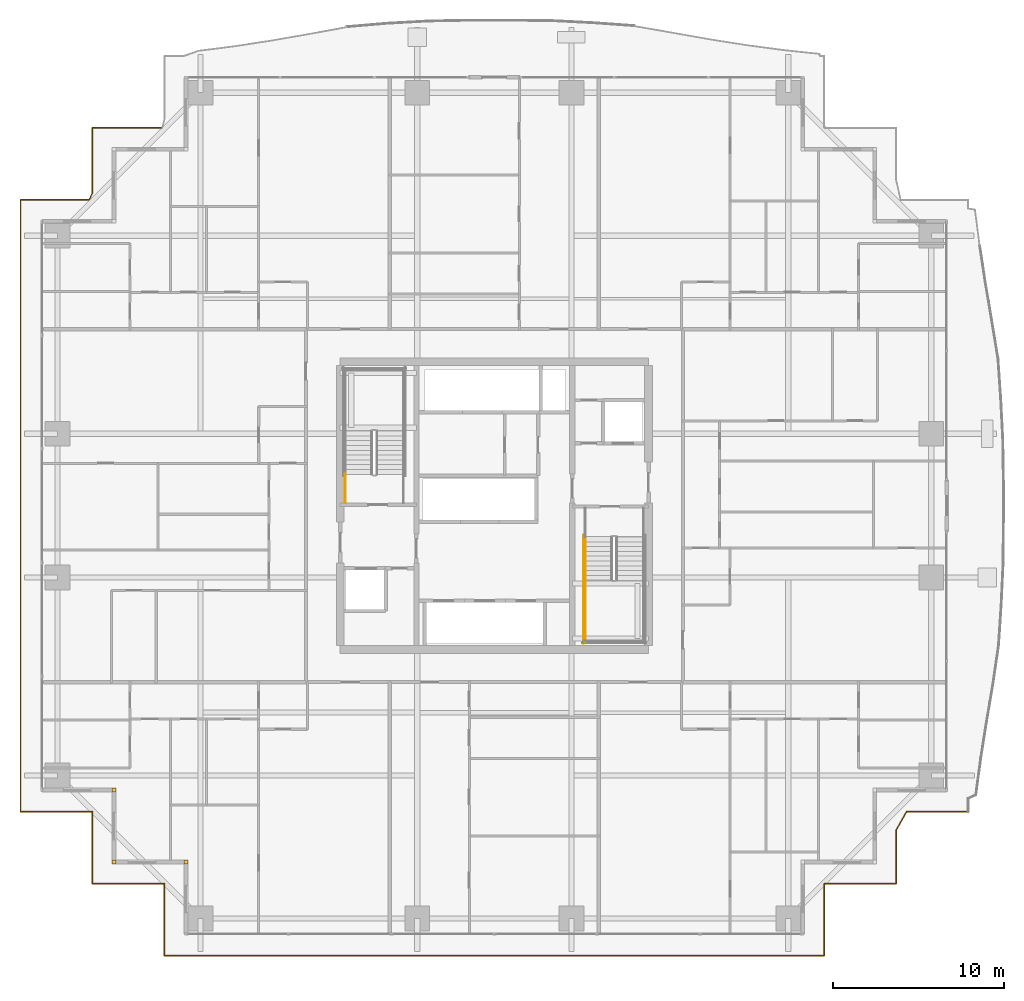
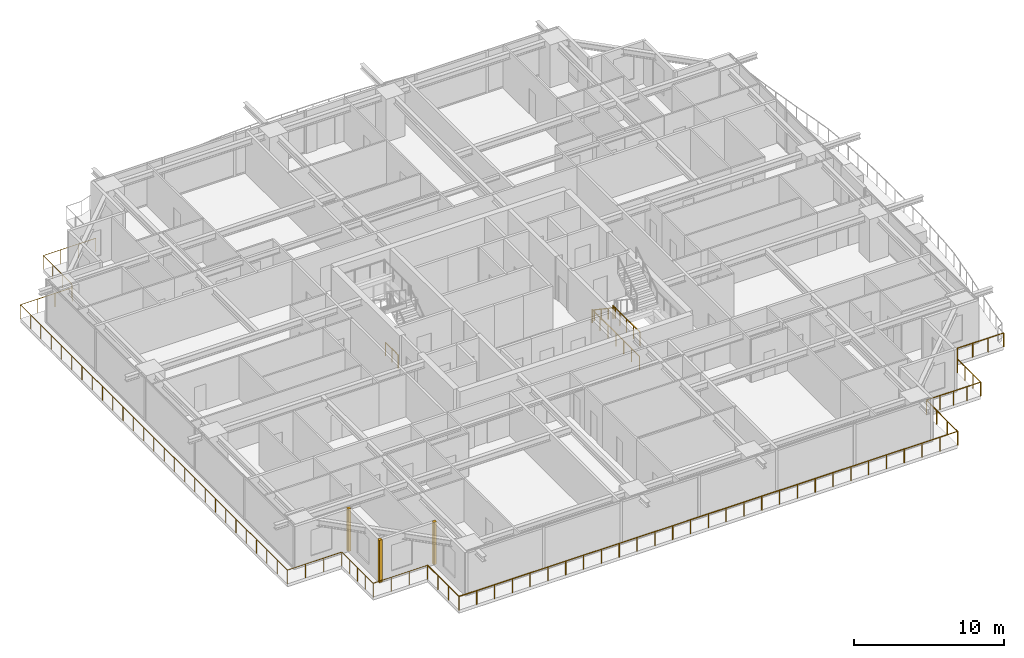
# One storey, part 33 of 37: 6 railings, 3 coverings.
"""IFC4 building model written with IfcOpenShell, lengths in metres."""

import ifcopenshell
import ifcopenshell.guid

model = None  # the IFC model being written
_history = None  # IfcOwnerHistory: only IFC2X3 demands one
_inside = {}  # id of a spatial element -> (the spatial element, [elements in it])
_under = {}  # id of a project, library or spatial element -> (it, [spatial elements below it])
_declared = {}  # id of a project -> (the project, [libraries it declares])
_typed = {}  # id of a type object -> (the type object, [elements of that type])
_made_of = {}  # id of a material, layer set ... -> (it, [elements and type objects made of it])


def new_model(schema):
    """Start an empty IFC model of exactly this schema.

    Asked for "IFC4X3", IfcOpenShell would pick the latest addendum, in which some entities
    have other attributes; the version numbers below select the first issue.
    IFC2X3 requires an IfcOwnerHistory on every rooted entity: one is made here for all.
    """
    global model, _history
    if schema == "IFC4X3":
        model = ifcopenshell.file(schema_version=(4, 3, 0, 0))
    else:
        model = ifcopenshell.file(schema=schema)
    _inside.clear()
    _under.clear()
    _declared.clear()
    _typed.clear()
    _made_of.clear()
    _history = None
    if model.schema == "IFC2X3":
        org = make("IfcOrganization", Name="unknown")
        user = make(
            "IfcPersonAndOrganization",
            ThePerson=make("IfcPerson", FamilyName="unknown"),
            TheOrganization=org,
        )
        app = make(
            "IfcApplication",
            ApplicationDeveloper=org,
            Version="unknown",
            ApplicationFullName="unknown",
            ApplicationIdentifier="unknown",
        )
        _history = make(
            "IfcOwnerHistory",
            OwningUser=user,
            OwningApplication=app,
            ChangeAction="ADDED",
            CreationDate=0,
        )
    return model


def make(cls, **values):
    """One entity of the class cls with the attributes given. An attribute that is None is left unset."""
    return model.create_entity(
        cls, **{name: value for name, value in values.items() if value is not None}
    )


def rooted(cls, **values):
    """An entity with a GlobalId (a new one), such as an element, a storey or a relation."""
    return make(cls, GlobalId=ifcopenshell.guid.new(), OwnerHistory=_history, **values)


def si_unit(unit_type, name, prefix=None):
    """IfcSIUnit, for example si_unit("LENGTHUNIT", "METRE", prefix="MILLI")."""
    return make("IfcSIUnit", UnitType=unit_type, Prefix=prefix, Name=name)


def assignment(units):
    """IfcUnitAssignment: the units of a project."""
    return None if units is None else make("IfcUnitAssignment", Units=units)


def point(xyz):
    """IfcCartesianPoint."""
    return None if xyz is None else make("IfcCartesianPoint", Coordinates=xyz)


def direction(xyz):
    """IfcDirection."""
    return None if xyz is None else make("IfcDirection", DirectionRatios=xyz)


def frame(location, z_axis=None, x_axis=None):
    """IfcAxis2Placement3D, a coordinate frame: its origin and axes. An axis left out is left unset."""
    return make(
        "IfcAxis2Placement3D",
        Location=point(location),
        Axis=direction(z_axis),
        RefDirection=direction(x_axis),
    )


def frame_2d(location, x_axis=None):
    """IfcAxis2Placement2D, a coordinate frame in the plane: its origin and x axis."""
    return make(
        "IfcAxis2Placement2D", Location=point(location), RefDirection=direction(x_axis)
    )


def origin():
    """The frame at (0, 0, 0) with its axes left unset."""
    return frame((0.0, 0.0, 0.0))


def origin_2d():
    """The frame at (0, 0) in the plane with its x axis left unset."""
    return frame_2d((0.0, 0.0))


def place(relative_to, where):
    """IfcLocalPlacement: puts the frame where relative to a parent placement (None: the world)."""
    return make(
        "IfcLocalPlacement", PlacementRelTo=relative_to, RelativePlacement=where
    )


def context(
    kind, dimensions, precision=None, world=None, true_north=None, identifier=None
):
    """IfcGeometricRepresentationContext, for example the 3D "Model" context."""
    return make(
        "IfcGeometricRepresentationContext",
        ContextIdentifier=identifier,
        ContextType=kind,
        CoordinateSpaceDimension=dimensions,
        Precision=precision,
        WorldCoordinateSystem=world,
        TrueNorth=true_north,
    )


def subcontext(parent, identifier, kind, view, scale=None):
    """IfcGeometricRepresentationSubContext, for example "Body" below "Model"."""
    return make(
        "IfcGeometricRepresentationSubContext",
        ContextIdentifier=identifier,
        ContextType=kind,
        ParentContext=parent,
        TargetScale=scale,
        TargetView=view,
    )


def project(units=None, contexts=None):
    """IfcProject with its units and contexts."""
    return rooted(
        "IfcProject",
        Name="project",
        RepresentationContexts=contexts,
        UnitsInContext=assignment(units),
    )


def spatial(cls, under=None, at=None, **own):
    """A site, building, storey or space (cls), placed at a placement, below another one or the project."""
    s = rooted(cls, ObjectPlacement=at, **own)
    if under is not None:
        _under.setdefault(under.id(), (under, []))[1].append(s)
    return s


def profile(cls, at=None, kind="AREA", **sizes):
    """A parametric profile (cls). Its sizes go by their IFC names, for example OverallWidth=200.0."""
    return make(cls, ProfileType=kind, Position=at, **sizes)


def rectangle(**sizes):
    """IfcRectangleProfileDef."""
    return profile("IfcRectangleProfileDef", **sizes)


def circle(**sizes):
    """IfcCircleProfileDef."""
    return profile("IfcCircleProfileDef", **sizes)


def extrude(swept, where, along, depth):
    """IfcExtrudedAreaSolid: the profile swept, set in the frame where, extruded along a direction by depth."""
    return make(
        "IfcExtrudedAreaSolid",
        SweptArea=swept,
        Position=where,
        ExtrudedDirection=direction(along),
        Depth=depth,
    )


def shape(context_of_items, identifier, shape_type, items):
    """IfcShapeRepresentation: the items that make up one representation, for example the "Body"."""
    return make(
        "IfcShapeRepresentation",
        ContextOfItems=context_of_items,
        RepresentationIdentifier=identifier,
        RepresentationType=shape_type,
        Items=items,
    )


def source(mapping_origin, context_of_items, identifier, shape_type, items):
    """IfcRepresentationMap: a shape defined once, which mapped items show again and again."""
    return make(
        "IfcRepresentationMap",
        MappingOrigin=mapping_origin,
        MappedRepresentation=shape(context_of_items, identifier, shape_type, items),
    )


def transform(
    local_origin,
    x_axis=None,
    y_axis=None,
    z_axis=None,
    scale=None,
    scale2=None,
    scale3=None,
    uniform=True,
):
    """IfcCartesianTransformationOperator3D, or its non-uniform kind. x_axis, y_axis, z_axis: its Axis1, 2, 3."""
    if uniform:
        return make(
            "IfcCartesianTransformationOperator3D",
            Axis1=direction(x_axis),
            Axis2=direction(y_axis),
            LocalOrigin=point(local_origin),
            Scale=scale,
            Axis3=direction(z_axis),
        )
    return make(
        "IfcCartesianTransformationOperator3DnonUniform",
        Axis1=direction(x_axis),
        Axis2=direction(y_axis),
        LocalOrigin=point(local_origin),
        Scale=scale,
        Axis3=direction(z_axis),
        Scale2=scale2,
        Scale3=scale3,
    )


def mapped(mapping_source, mapping_target):
    """IfcMappedItem: shows the shape of a source again, moved by a transform."""
    return make(
        "IfcMappedItem", MappingSource=mapping_source, MappingTarget=mapping_target
    )


def material(Name=None, Category=None):
    """IfcMaterial."""
    return make("IfcMaterial", Name=Name, Category=Category)


def layer(
    of_material, thickness, ventilated=None, Name=None, Category=None, Priority=None
):
    """IfcMaterialLayer: one layer of a wall or slab, of a material (None: an air gap)."""
    return make(
        "IfcMaterialLayer",
        Material=of_material,
        LayerThickness=thickness,
        IsVentilated=ventilated,
        Name=Name,
        Category=Category,
        Priority=Priority,
    )


def layer_set(layers, Name=None):
    """IfcMaterialLayerSet."""
    return make("IfcMaterialLayerSet", MaterialLayers=layers, LayerSetName=Name)


def made_of(thing, what):
    """Note that an element or type object is made of a material, layer set ...; save() writes the relation."""
    if what is not None:
        _made_of.setdefault(what.id(), (what, []))[1].append(thing)
    return thing


def type_object(cls, material=None, **own):
    """A type object (cls), such as IfcWallType, which elements share."""
    return made_of(rooted(cls, **own), material)


def element(
    cls,
    number,
    at=None,
    inside=None,
    cuts=None,
    type_object=None,
    material=None,
    context=None,
    identifier="Body",
    shape_type=None,
    held_by="IfcProductDefinitionShape",
    body=None,
    shapes=None,
    **own,
):
    """One element of the class cls, such as IfcWall. Its Tag is "e" and its number.

    at: its placement. inside: the storey or other place that contains it. cuts: it is an
    opening in that element (IfcRelVoidsElement). A single representation is given by context,
    identifier, shape_type and body (its items); several are given by shapes. held_by: the class
    of the entity that holds the representations. save() writes the other relations.
    """
    e = rooted(cls, Tag="e%d" % number, ObjectPlacement=at, **own)
    if body is not None:
        shapes = [shape(context, identifier, shape_type, body)]
    if shapes is not None:
        e.Representation = make(held_by, Representations=shapes)
    if inside is not None:
        _inside.setdefault(inside.id(), (inside, []))[1].append(e)
    if cuts is not None:
        rooted(
            "IfcRelVoidsElement", RelatingBuildingElement=cuts, RelatedOpeningElement=e
        )
    if type_object is not None:
        _typed.setdefault(type_object.id(), (type_object, []))[1].append(e)
    return made_of(e, material)


def aggregate(whole, parts):
    """IfcRelAggregates: a whole, such as a stair, and the parts it consists of."""
    return rooted("IfcRelAggregates", RelatingObject=whole, RelatedObjects=parts)


def save(model, path):
    """Write the relations noted so far, then the file.

    IfcRelAggregates (storeys below a building ...), IfcRelContainedInSpatialStructure (elements
    in a storey), IfcRelDefinesByType, IfcRelAssociatesMaterial and IfcRelDeclares: one each for
    every whole, place, type object, material and project.
    """
    for whole, parts in _under.values():
        aggregate(whole, parts)
    for where, things in _inside.values():
        rooted(
            "IfcRelContainedInSpatialStructure",
            RelatedElements=things,
            RelatingStructure=where,
        )
    for kind, things in _typed.values():
        rooted("IfcRelDefinesByType", RelatedObjects=things, RelatingType=kind)
    for what, things in _made_of.values():
        rooted("IfcRelAssociatesMaterial", RelatedObjects=things, RelatingMaterial=what)
    for by, libraries in _declared.values():
        rooted("IfcRelDeclares", RelatingContext=by, RelatedDefinitions=libraries)
    model.write(path)


model = new_model("IFC4")

# Units and contexts
model_context = context("Model", 3, precision=1e-05, world=origin(), true_north=direction((0.0, 1.0)))
body_context = subcontext(model_context, "Body", "Model", "MODEL_VIEW")
ifc_project = project(units=[si_unit("LENGTHUNIT", "METRE"), si_unit("AREAUNIT", "SQUARE_METRE"), si_unit("VOLUMEUNIT", "CUBIC_METRE"), si_unit("PLANEANGLEUNIT", "RADIAN"), si_unit("MASSUNIT", "GRAM", prefix="KILO")], contexts=[model_context])

# Site, building, storey
site_placement = place(None, origin())
site = spatial("IfcSite", under=ifc_project, at=site_placement, CompositionType="ELEMENT")
building_placement = place(site_placement, origin())
building = spatial("IfcBuilding", under=site, at=building_placement, Name="Serunith Strait Residences", CompositionType="ELEMENT")
storey_placement = place(building_placement, frame((0.0, 0.0, 26.699951171875)))
storey = spatial("IfcBuildingStorey", under=building, at=storey_placement, Name="L05", CompositionType="ELEMENT", Elevation=26.699951171875)

# Railings
ifc_material_1 = material(Name="Stainless Steel & Laminated Glass Balustrade", Category="steel")
railing_type_1 = type_object("IfcRailingType", Name="RLG-BALC-1150", PredefinedType="BALUSTRADE", material=ifc_material_1)
railing_1_placement = place(storey_placement, frame((60.06005859375, 7.340087890625, -0.050048828125)))
element("IfcRailing", 1, at=railing_1_placement, inside=storey, type_object=railing_type_1, Name="L05 Swirling Balcony Perimeter Balustrade 7", PredefinedType="BALUSTRADE", context=body_context, shape_type="SweptSolid", body=[
    extrude(circle(Radius=0.02392578125, at=origin_2d()), frame((-0.001953125, 0.0, 1.1259765625), z_axis=(-1.0, 0.0, 0.0), x_axis=(0.0, -1.0, 0.0)), (0.0, 0.0, 1.0), 3.5869140625),
    extrude(circle(Radius=0.02392578125, at=origin_2d()), frame((-3.591796875, -0.001708984375, 1.1259765625), z_axis=(-0.495646802969, -0.868524177387, 0.0), x_axis=(0.868524177387, -0.495646802969, 0.0)), (0.0, 0.0, 1.0), 1.224853515625),
    extrude(circle(Radius=0.02392578125, at=origin_2d()), frame((-4.199951171875, -1.0693359375, 1.1259765625), z_axis=(0.0, -1.0, 0.0), x_axis=(1.0, 0.0, 0.0)), (0.0, 0.0, 1.0), 3.12890625),
    extrude(circle(Radius=0.02392578125, at=origin_2d()), frame((-4.201904296875, -4.2001953125, 1.1259765625), z_axis=(-1.0, 0.0, 0.0), x_axis=(0.0, -1.0, 0.0)), (0.0, 0.0, 1.0), 4.1962890625),
    extrude(circle(Radius=0.02392578125, at=origin_2d()), frame((-8.400146484375, -4.2021484375, 1.1259765625), z_axis=(0.0, -1.0, 0.0), x_axis=(1.0, 0.0, 0.0)), (0.0, 0.0, 1.0), 4.196044921875),
    extrude(circle(Radius=0.02392578125, at=origin_2d()), frame((-8.402099609375, -8.400146484375, 1.1259765625), z_axis=(-1.0, 0.0, 0.0), x_axis=(0.0, -1.0, 0.0)), (0.0, 0.0, 1.0), 38.51611328125),
    extrude(circle(Radius=0.02392578125, at=origin_2d()), frame((-46.920166015625, -8.398193359375, 1.1259765625), z_axis=(0.0, 1.0, 0.0), x_axis=(-1.0, 0.0, 0.0)), (0.0, 0.0, 1.0), 4.196044921875),
    extrude(circle(Radius=0.02099609375, at=origin_2d()), origin(), (0.0, 0.0, 1.0), 1.099853515625),
    extrude(circle(Radius=0.02099609375, at=origin_2d()), frame((-1.197021484375, 0.0, 0.0)), (0.0, 0.0, 1.0), 1.099853515625),
    extrude(circle(Radius=0.02099609375, at=origin_2d()), frame((-2.393798828125, 0.0, 0.0)), (0.0, 0.0, 1.0), 1.099853515625),
    extrude(circle(Radius=0.02099609375, at=origin_2d()), frame((-3.5908203125, 0.0, 0.0)), (0.0, 0.0, 1.0), 1.099853515625),
    extrude(circle(Radius=0.02099609375, at=origin_2d()), frame((-4.199951171875, -1.0673828125, 0.0)), (0.0, 0.0, 1.0), 1.099853515625),
    extrude(circle(Radius=0.02099609375, at=origin_2d()), frame((-4.199951171875, -2.111572265625, 0.0)), (0.0, 0.0, 1.0), 1.099853515625),
    extrude(circle(Radius=0.02099609375, at=origin_2d()), frame((-4.199951171875, -3.156005859375, 0.0)), (0.0, 0.0, 1.0), 1.099853515625),
    extrude(circle(Radius=0.02099609375, at=origin_2d()), frame((-4.199951171875, -4.2001953125, 0.0)), (0.0, 0.0, 1.0), 1.099853515625),
    extrude(circle(Radius=0.02099609375, at=origin_2d()), frame((-5.25, -4.2001953125, 0.0)), (0.0, 0.0, 1.0), 1.099853515625),
    extrude(circle(Radius=0.02099609375, at=origin_2d()), frame((-6.300048828125, -4.2001953125, 0.0)), (0.0, 0.0, 1.0), 1.099853515625),
    extrude(circle(Radius=0.02099609375, at=origin_2d()), frame((-7.35009765625, -4.2001953125, 0.0)), (0.0, 0.0, 1.0), 1.099853515625),
    extrude(circle(Radius=0.02099609375, at=origin_2d()), frame((-8.400146484375, -4.2001953125, 0.0)), (0.0, 0.0, 1.0), 1.099853515625),
    extrude(circle(Radius=0.02099609375, at=origin_2d()), frame((-8.400146484375, -5.60009765625, 0.0)), (0.0, 0.0, 1.0), 1.099853515625),
    extrude(circle(Radius=0.02099609375, at=origin_2d()), frame((-8.400146484375, -7.000244140625, 0.0)), (0.0, 0.0, 1.0), 1.099853515625),
    extrude(circle(Radius=0.02099609375, at=origin_2d()), frame((-8.400146484375, -8.400146484375, 0.0)), (0.0, 0.0, 1.0), 1.099853515625),
    extrude(circle(Radius=0.02099609375, at=origin_2d()), frame((-9.77587890625, -8.400146484375, 0.0)), (0.0, 0.0, 1.0), 1.099853515625),
    extrude(circle(Radius=0.02099609375, at=origin_2d()), frame((-11.151611328125, -8.400146484375, 0.0)), (0.0, 0.0, 1.0), 1.099853515625),
    extrude(circle(Radius=0.02099609375, at=origin_2d()), frame((-12.52734375, -8.400146484375, 0.0)), (0.0, 0.0, 1.0), 1.099853515625),
    extrude(circle(Radius=0.02099609375, at=origin_2d()), frame((-13.903076171875, -8.400146484375, 0.0)), (0.0, 0.0, 1.0), 1.099853515625),
    extrude(circle(Radius=0.02099609375, at=origin_2d()), frame((-15.27880859375, -8.400146484375, 0.0)), (0.0, 0.0, 1.0), 1.099853515625),
    extrude(circle(Radius=0.02099609375, at=origin_2d()), frame((-16.654541015625, -8.400146484375, 0.0)), (0.0, 0.0, 1.0), 1.099853515625),
    extrude(circle(Radius=0.02099609375, at=origin_2d()), frame((-18.0302734375, -8.400146484375, 0.0)), (0.0, 0.0, 1.0), 1.099853515625),
    extrude(circle(Radius=0.02099609375, at=origin_2d()), frame((-19.40576171875, -8.400146484375, 0.0)), (0.0, 0.0, 1.0), 1.099853515625),
    extrude(circle(Radius=0.02099609375, at=origin_2d()), frame((-20.781494140625, -8.400146484375, 0.0)), (0.0, 0.0, 1.0), 1.099853515625),
    extrude(circle(Radius=0.02099609375, at=origin_2d()), frame((-22.1572265625, -8.400146484375, 0.0)), (0.0, 0.0, 1.0), 1.099853515625),
    extrude(circle(Radius=0.02099609375, at=origin_2d()), frame((-23.532958984375, -8.400146484375, 0.0)), (0.0, 0.0, 1.0), 1.099853515625),
    extrude(circle(Radius=0.02099609375, at=origin_2d()), frame((-24.90869140625, -8.400146484375, 0.0)), (0.0, 0.0, 1.0), 1.099853515625),
    extrude(circle(Radius=0.02099609375, at=origin_2d()), frame((-26.284423828125, -8.400146484375, 0.0)), (0.0, 0.0, 1.0), 1.099853515625),
    extrude(circle(Radius=0.02099609375, at=origin_2d()), frame((-27.66015625, -8.400146484375, 0.0)), (0.0, 0.0, 1.0), 1.099853515625),
    extrude(circle(Radius=0.02099609375, at=origin_2d()), frame((-29.035888671875, -8.400146484375, 0.0)), (0.0, 0.0, 1.0), 1.099853515625),
    extrude(circle(Radius=0.02099609375, at=origin_2d()), frame((-30.41162109375, -8.400146484375, 0.0)), (0.0, 0.0, 1.0), 1.099853515625),
    extrude(circle(Radius=0.02099609375, at=origin_2d()), frame((-31.787353515625, -8.400146484375, 0.0)), (0.0, 0.0, 1.0), 1.099853515625),
    extrude(circle(Radius=0.02099609375, at=origin_2d()), frame((-33.1630859375, -8.400146484375, 0.0)), (0.0, 0.0, 1.0), 1.099853515625),
    extrude(circle(Radius=0.02099609375, at=origin_2d()), frame((-34.538818359375, -8.400146484375, 0.0)), (0.0, 0.0, 1.0), 1.099853515625),
    extrude(circle(Radius=0.02099609375, at=origin_2d()), frame((-35.91455078125, -8.400146484375, 0.0)), (0.0, 0.0, 1.0), 1.099853515625),
    extrude(circle(Radius=0.02099609375, at=origin_2d()), frame((-37.2900390625, -8.400146484375, 0.0)), (0.0, 0.0, 1.0), 1.099853515625),
    extrude(circle(Radius=0.02099609375, at=origin_2d()), frame((-38.665771484375, -8.400146484375, 0.0)), (0.0, 0.0, 1.0), 1.099853515625),
    extrude(circle(Radius=0.02099609375, at=origin_2d()), frame((-40.04150390625, -8.400146484375, 0.0)), (0.0, 0.0, 1.0), 1.099853515625),
    extrude(circle(Radius=0.02099609375, at=origin_2d()), frame((-41.417236328125, -8.400146484375, 0.0)), (0.0, 0.0, 1.0), 1.099853515625),
    extrude(circle(Radius=0.02099609375, at=origin_2d()), frame((-42.79296875, -8.400146484375, 0.0)), (0.0, 0.0, 1.0), 1.099853515625),
    extrude(circle(Radius=0.02099609375, at=origin_2d()), frame((-44.168701171875, -8.400146484375, 0.0)), (0.0, 0.0, 1.0), 1.099853515625),
    extrude(circle(Radius=0.02099609375, at=origin_2d()), frame((-45.54443359375, -8.400146484375, 0.0)), (0.0, 0.0, 1.0), 1.099853515625),
    extrude(circle(Radius=0.02099609375, at=origin_2d()), frame((-46.920166015625, -8.400146484375, 0.0)), (0.0, 0.0, 1.0), 1.099853515625),
    extrude(circle(Radius=0.02099609375, at=origin_2d()), frame((-46.920166015625, -7.000244140625, 0.0)), (0.0, 0.0, 1.0), 1.099853515625),
    extrude(circle(Radius=0.02099609375, at=origin_2d()), frame((-46.920166015625, -5.60009765625, 0.0)), (0.0, 0.0, 1.0), 1.099853515625),
    extrude(circle(Radius=0.02099609375, at=origin_2d()), frame((-46.920166015625, -4.2001953125, 0.0)), (0.0, 0.0, 1.0), 1.099853515625),
])
railing_2_placement = place(storey_placement, frame((13.139892578125, 3.139892578125, -0.050048828125)))
element("IfcRailing", 2, at=railing_2_placement, inside=storey, type_object=railing_type_1, Name="L05 Swirling Balcony Perimeter Balustrade 8", PredefinedType="BALUSTRADE", context=body_context, shape_type="SweptSolid", body=[
    extrude(circle(Radius=0.02392578125, at=origin_2d()), frame((-0.001953125, 0.0, 1.1259765625), z_axis=(-1.0, 0.0, 0.0), x_axis=(0.0, -1.0, 0.0)), (0.0, 0.0, 1.0), 4.196044921875),
    extrude(circle(Radius=0.02392578125, at=origin_2d()), frame((-4.199951171875, 0.001953125, 1.1259765625), z_axis=(0.0, 1.0, 0.0), x_axis=(-1.0, 0.0, 0.0)), (0.0, 0.0, 1.0), 4.1962890625),
    extrude(circle(Radius=0.02392578125, at=origin_2d()), frame((-4.201904296875, 4.2001953125, 1.1259765625), z_axis=(-1.0, 0.0, 0.0), x_axis=(0.0, -1.0, 0.0)), (0.0, 0.0, 1.0), 4.196044921875),
    extrude(circle(Radius=0.02392578125, at=origin_2d()), frame((-8.39990234375, 4.2021484375, 1.1259765625), z_axis=(0.0, 1.0, 0.0), x_axis=(-1.0, 0.0, 0.0)), (0.0, 0.0, 1.0), 35.716064453125),
    extrude(circle(Radius=0.02392578125, at=origin_2d()), frame((-8.39794921875, 39.920166015625, 1.1259765625), z_axis=(1.0, 0.0, 0.0), x_axis=(0.0, 1.0, 0.0)), (0.0, 0.0, 1.0), 4.014892578125),
    extrude(circle(Radius=0.02392578125, at=origin_2d()), frame((-4.38037109375, 39.921875, 1.1259765625), z_axis=(0.414518347731, 0.91004095479, 0.0), x_axis=(-0.91004095479, 0.414518347731, 0.0)), (0.0, 0.0, 1.0), 0.43310546875),
    extrude(circle(Radius=0.02392578125, at=origin_2d()), frame((-4.199951171875, 40.31982421875, 1.1259765625), z_axis=(0.0, 1.0, 0.0), x_axis=(-1.0, 0.0, 0.0)), (0.0, 0.0, 1.0), 3.79833984375),
    extrude(circle(Radius=0.02392578125, at=origin_2d()), frame((-4.197998046875, 44.1201171875, 1.1259765625), z_axis=(1.0, 0.0, 0.0), x_axis=(0.0, 1.0, 0.0)), (0.0, 0.0, 1.0), 4.0595703125),
    extrude(circle(Radius=0.02099609375, at=origin_2d()), origin(), (0.0, 0.0, 1.0), 1.099853515625),
    extrude(circle(Radius=0.02099609375, at=origin_2d()), frame((-1.39990234375, 0.0, 0.0)), (0.0, 0.0, 1.0), 1.099853515625),
    extrude(circle(Radius=0.02099609375, at=origin_2d()), frame((-2.800048828125, 0.0, 0.0)), (0.0, 0.0, 1.0), 1.099853515625),
    extrude(circle(Radius=0.02099609375, at=origin_2d()), frame((-4.199951171875, 0.0, 0.0)), (0.0, 0.0, 1.0), 1.099853515625),
    extrude(circle(Radius=0.02099609375, at=origin_2d()), frame((-4.199951171875, 1.050048828125, 0.0)), (0.0, 0.0, 1.0), 1.099853515625),
    extrude(circle(Radius=0.02099609375, at=origin_2d()), frame((-4.199951171875, 2.10009765625, 0.0)), (0.0, 0.0, 1.0), 1.099853515625),
    extrude(circle(Radius=0.02099609375, at=origin_2d()), frame((-4.199951171875, 3.150146484375, 0.0)), (0.0, 0.0, 1.0), 1.099853515625),
    extrude(circle(Radius=0.02099609375, at=origin_2d()), frame((-4.199951171875, 4.2001953125, 0.0)), (0.0, 0.0, 1.0), 1.099853515625),
    extrude(circle(Radius=0.02099609375, at=origin_2d()), frame((-5.599853515625, 4.2001953125, 0.0)), (0.0, 0.0, 1.0), 1.099853515625),
    extrude(circle(Radius=0.02099609375, at=origin_2d()), frame((-7.0, 4.2001953125, 0.0)), (0.0, 0.0, 1.0), 1.099853515625),
    extrude(circle(Radius=0.02099609375, at=origin_2d()), frame((-8.39990234375, 4.2001953125, 0.0)), (0.0, 0.0, 1.0), 1.099853515625),
    extrude(circle(Radius=0.02099609375, at=origin_2d()), frame((-8.39990234375, 5.573974609375, 0.0)), (0.0, 0.0, 1.0), 1.099853515625),
    extrude(circle(Radius=0.02099609375, at=origin_2d()), frame((-8.39990234375, 6.947998046875, 0.0)), (0.0, 0.0, 1.0), 1.099853515625),
    extrude(circle(Radius=0.02099609375, at=origin_2d()), frame((-8.39990234375, 8.32177734375, 0.0)), (0.0, 0.0, 1.0), 1.099853515625),
    extrude(circle(Radius=0.02099609375, at=origin_2d()), frame((-8.39990234375, 9.695556640625, 0.0)), (0.0, 0.0, 1.0), 1.099853515625),
    extrude(circle(Radius=0.02099609375, at=origin_2d()), frame((-8.39990234375, 11.0693359375, 0.0)), (0.0, 0.0, 1.0), 1.099853515625),
    extrude(circle(Radius=0.02099609375, at=origin_2d()), frame((-8.39990234375, 12.443359375, 0.0)), (0.0, 0.0, 1.0), 1.099853515625),
    extrude(circle(Radius=0.02099609375, at=origin_2d()), frame((-8.39990234375, 13.817138671875, 0.0)), (0.0, 0.0, 1.0), 1.099853515625),
    extrude(circle(Radius=0.02099609375, at=origin_2d()), frame((-8.39990234375, 15.19091796875, 0.0)), (0.0, 0.0, 1.0), 1.099853515625),
    extrude(circle(Radius=0.02099609375, at=origin_2d()), frame((-8.39990234375, 16.564697265625, 0.0)), (0.0, 0.0, 1.0), 1.099853515625),
    extrude(circle(Radius=0.02099609375, at=origin_2d()), frame((-8.39990234375, 17.938720703125, 0.0)), (0.0, 0.0, 1.0), 1.099853515625),
    extrude(circle(Radius=0.02099609375, at=origin_2d()), frame((-8.39990234375, 19.3125, 0.0)), (0.0, 0.0, 1.0), 1.099853515625),
    extrude(circle(Radius=0.02099609375, at=origin_2d()), frame((-8.39990234375, 20.686279296875, 0.0)), (0.0, 0.0, 1.0), 1.099853515625),
    extrude(circle(Radius=0.02099609375, at=origin_2d()), frame((-8.39990234375, 22.06005859375, 0.0)), (0.0, 0.0, 1.0), 1.099853515625),
    extrude(circle(Radius=0.02099609375, at=origin_2d()), frame((-8.39990234375, 23.43408203125, 0.0)), (0.0, 0.0, 1.0), 1.099853515625),
    extrude(circle(Radius=0.02099609375, at=origin_2d()), frame((-8.39990234375, 24.807861328125, 0.0)), (0.0, 0.0, 1.0), 1.099853515625),
    extrude(circle(Radius=0.02099609375, at=origin_2d()), frame((-8.39990234375, 26.181640625, 0.0)), (0.0, 0.0, 1.0), 1.099853515625),
    extrude(circle(Radius=0.02099609375, at=origin_2d()), frame((-8.39990234375, 27.5556640625, 0.0)), (0.0, 0.0, 1.0), 1.099853515625),
    extrude(circle(Radius=0.02099609375, at=origin_2d()), frame((-8.39990234375, 28.929443359375, 0.0)), (0.0, 0.0, 1.0), 1.099853515625),
    extrude(circle(Radius=0.02099609375, at=origin_2d()), frame((-8.39990234375, 30.30322265625, 0.0)), (0.0, 0.0, 1.0), 1.099853515625),
    extrude(circle(Radius=0.02099609375, at=origin_2d()), frame((-8.39990234375, 31.677001953125, 0.0)), (0.0, 0.0, 1.0), 1.099853515625),
    extrude(circle(Radius=0.02099609375, at=origin_2d()), frame((-8.39990234375, 33.051025390625, 0.0)), (0.0, 0.0, 1.0), 1.099853515625),
    extrude(circle(Radius=0.02099609375, at=origin_2d()), frame((-8.39990234375, 34.4248046875, 0.0)), (0.0, 0.0, 1.0), 1.099853515625),
    extrude(circle(Radius=0.02099609375, at=origin_2d()), frame((-8.39990234375, 35.798583984375, 0.0)), (0.0, 0.0, 1.0), 1.099853515625),
    extrude(circle(Radius=0.02099609375, at=origin_2d()), frame((-8.39990234375, 37.17236328125, 0.0)), (0.0, 0.0, 1.0), 1.099853515625),
    extrude(circle(Radius=0.02099609375, at=origin_2d()), frame((-8.39990234375, 38.54638671875, 0.0)), (0.0, 0.0, 1.0), 1.099853515625),
    extrude(circle(Radius=0.02099609375, at=origin_2d()), frame((-8.39990234375, 39.920166015625, 0.0)), (0.0, 0.0, 1.0), 1.099853515625),
    extrude(circle(Radius=0.02099609375, at=origin_2d()), frame((-7.060302734375, 39.920166015625, 0.0)), (0.0, 0.0, 1.0), 1.099853515625),
    extrude(circle(Radius=0.02099609375, at=origin_2d()), frame((-5.720703125, 39.920166015625, 0.0)), (0.0, 0.0, 1.0), 1.099853515625),
    extrude(circle(Radius=0.02099609375, at=origin_2d()), frame((-4.381103515625, 39.920166015625, 0.0)), (0.0, 0.0, 1.0), 1.099853515625),
    extrude(circle(Radius=0.02099609375, at=origin_2d()), frame((-4.199951171875, 40.31787109375, 0.0)), (0.0, 0.0, 1.0), 1.099853515625),
    extrude(circle(Radius=0.02099609375, at=origin_2d()), frame((-4.199951171875, 41.585205078125, 0.0)), (0.0, 0.0, 1.0), 1.099853515625),
    extrude(circle(Radius=0.02099609375, at=origin_2d()), frame((-4.199951171875, 42.852783203125, 0.0)), (0.0, 0.0, 1.0), 1.099853515625),
    extrude(circle(Radius=0.02099609375, at=origin_2d()), frame((-4.199951171875, 44.1201171875, 0.0)), (0.0, 0.0, 1.0), 1.099853515625),
    extrude(circle(Radius=0.02099609375, at=origin_2d()), frame((-2.845458984375, 44.1201171875, 0.0)), (0.0, 0.0, 1.0), 1.099853515625),
    extrude(circle(Radius=0.02099609375, at=origin_2d()), frame((-1.490966796875, 44.1201171875, 0.0)), (0.0, 0.0, 1.0), 1.099853515625),
    extrude(circle(Radius=0.02099609375, at=origin_2d()), frame((-0.136474609375, 44.1201171875, 0.0)), (0.0, 0.0, 1.0), 1.099853515625),
])
ifc_material_2 = material(Name="Brushed stainless steel 316L", Category="steel")
railing_type_2 = type_object("IfcRailingType", Name="RLG-STAIR-GUARD", PredefinedType="BALUSTRADE", material=ifc_material_2)
railing_3_placement = place(storey_placement, frame((23.699951171875, 25.35009765625, 0.0)))
element("IfcRailing", 3, at=railing_3_placement, inside=storey, type_object=railing_type_2, Name="L05 ST-1 stair guard 9", PredefinedType="BALUSTRADE", context=body_context, shape_type="SweptSolid", body=[
    extrude(circle(Radius=0.02392578125, at=origin_2d()), frame((0.0, 0.001953125, 1.076171875), z_axis=(0.0, 1.0, 0.0), x_axis=(-1.0, 0.0, 0.0)), (0.0, 0.0, 1.0), 1.676025390625),
    extrude(circle(Radius=0.02099609375, at=origin_2d()), origin(), (0.0, 0.0, 1.0), 1.050048828125),
    extrude(circle(Radius=0.02099609375, at=origin_2d()), frame((0.0, 0.83984375, 0.0)), (0.0, 0.0, 1.0), 1.050048828125),
    extrude(circle(Radius=0.02099609375, at=origin_2d()), frame((0.0, 1.679931640625, 0.0)), (0.0, 0.0, 1.0), 1.050048828125),
])
railing_4_placement = place(storey_placement, frame((37.699951171875, 20.85009765625, 1.875)))
element("IfcRailing", 4, at=railing_4_placement, inside=storey, type_object=railing_type_2, Name="L05 ST-2 stair guard 3", PredefinedType="BALUSTRADE", context=body_context, shape_type="SweptSolid", body=[
    extrude(circle(Radius=0.02392578125, at=origin_2d()), frame((0.0, -0.001953125, 1.076171875), z_axis=(0.0, -1.0, 0.0), x_axis=(1.0, 0.0, 0.0)), (0.0, 0.0, 1.0), 3.59619140625),
    extrude(circle(Radius=0.02099609375, at=origin_2d()), origin(), (0.0, 0.0, 1.0), 1.050048828125),
    extrude(circle(Radius=0.02099609375, at=origin_2d()), frame((0.0, -0.89990234375, 0.0)), (0.0, 0.0, 1.0), 1.050048828125),
    extrude(circle(Radius=0.02099609375, at=origin_2d()), frame((0.0, -1.800048828125, 0.0)), (0.0, 0.0, 1.0), 1.050048828125),
    extrude(circle(Radius=0.02099609375, at=origin_2d()), frame((0.0, -2.7001953125, 0.0)), (0.0, 0.0, 1.0), 1.050048828125),
    extrude(circle(Radius=0.02099609375, at=origin_2d()), frame((0.0, -3.60009765625, 0.0)), (0.0, 0.0, 1.0), 1.050048828125),
])
railing_5_placement = place(storey_placement, frame((37.60009765625, 23.469970703125, 0.0)))
element("IfcRailing", 5, at=railing_5_placement, inside=storey, type_object=railing_type_2, Name="L05 ST-2 stair guard 10", PredefinedType="BALUSTRADE", context=body_context, shape_type="SweptSolid", body=[
    extrude(circle(Radius=0.02392578125, at=origin_2d()), frame((0.0, -0.001953125, 1.076171875), z_axis=(0.0, -1.0, 0.0), x_axis=(1.0, 0.0, 0.0)), (0.0, 0.0, 1.0), 6.316162109375),
    extrude(circle(Radius=0.02099609375, at=origin_2d()), origin(), (0.0, 0.0, 1.0), 1.050048828125),
    extrude(circle(Radius=0.02099609375, at=origin_2d()), frame((0.0, -1.05322265625, 0.0)), (0.0, 0.0, 1.0), 1.050048828125),
    extrude(circle(Radius=0.02099609375, at=origin_2d()), frame((0.0, -2.106689453125, 0.0)), (0.0, 0.0, 1.0), 1.050048828125),
    extrude(circle(Radius=0.02099609375, at=origin_2d()), frame((0.0, -3.16015625, 0.0)), (0.0, 0.0, 1.0), 1.050048828125),
    extrude(circle(Radius=0.02099609375, at=origin_2d()), frame((0.0, -4.21337890625, 0.0)), (0.0, 0.0, 1.0), 1.050048828125),
    extrude(circle(Radius=0.02099609375, at=origin_2d()), frame((0.0, -5.2666015625, 0.0)), (0.0, 0.0, 1.0), 1.050048828125),
    extrude(circle(Radius=0.02099609375, at=origin_2d()), frame((0.0, -6.320068359375, 0.0)), (0.0, 0.0, 1.0), 1.050048828125),
])
railing_type_3 = type_object("IfcRailingType", Name="RLG-STAIR-HR", PredefinedType="HANDRAIL", material=ifc_material_2)
railing_6_placement = place(storey_placement, frame((37.699951171875, 23.3701171875, 0.1875)))
element("IfcRailing", 6, at=railing_6_placement, inside=storey, type_object=railing_type_3, Name="L05 ST-2 stair handrail 1", PredefinedType="HANDRAIL", context=body_context, shape_type="SweptSolid", body=[
    extrude(circle(Radius=0.02392578125, at=origin_2d()), frame((0.0, -0.001708984375, 0.876953125), z_axis=(0.0, -0.830208209119, 0.557453432594), x_axis=(1.0, 0.0, 0.0)), (0.0, 0.0, 1.0), 3.36865234375),
    extrude(circle(Radius=0.02099609375, at=origin_2d()), origin(), (0.0, 0.0, 1.0), 0.849853515625),
    extrude(circle(Radius=0.02099609375, at=origin_2d()), frame((0.0, -0.933349609375, 0.626708984375)), (0.0, 0.0, 1.0), 0.849853515625),
    extrude(circle(Radius=0.02099609375, at=origin_2d()), frame((0.0, -1.86669921875, 1.25341796875)), (0.0, 0.0, 1.0), 0.849853515625),
    extrude(circle(Radius=0.02099609375, at=origin_2d()), frame((0.0, -2.800048828125, 1.880126953125)), (0.0, 0.0, 1.0), 0.849853515625),
])

# Coverings
ifc_material_3 = material(Name="Pale-Champagne Anodised Aluminium", Category="aluminium")
ifc_layer = layer(ifc_material_3, 0.219970703125, Name="Pale-Champagne Anodised Aluminium")
ifc_layer_set = layer_set([ifc_layer], Name="Pale-Champagne Anodised Aluminium")
covering_type = type_object("IfcCoveringType", Name="COV-CORN-TRIM", PredefinedType="CLADDING", material=ifc_layer_set)
shared_shape = source(origin(), body_context, "Body", "SweptSolid", [
    extrude(rectangle(XDim=0.221923828125, YDim=0.221923828125, at=origin_2d()), origin(), (0.0, 0.0, 1.0), 3.47509765625),
])
for number, where, z_axis, x_axis, name in (
    (7, (10.199951171875, 8.60009765625, 0.0), (0.0, 0.0, 1.0), (1.0, 0.0, 0.0), "L05 Girih Serrated Corner Trim Post 17"),
    (8, (10.199951171875, 4.39990234375, 0.0), (0.0, 0.0, 1.0), (1.0, 0.0, 0.0), "L05 Girih Serrated Corner Trim Post 18"),
    (9, (14.39990234375, 4.39990234375, 0.0), (0.0, 0.0, 1.0), (1.0, 0.0, 0.0), "L05 Girih Serrated Corner Trim Post 19"),
):
    element("IfcCovering", number, at=place(storey_placement, frame(where, z_axis=z_axis, x_axis=x_axis)), inside=storey, type_object=covering_type, Name=name, PredefinedType="CLADDING", context=body_context, shape_type="MappedRepresentation", body=[
        mapped(shared_shape, transform((0.0, 0.0, 0.0), scale=1.0)),
    ])

save(model, "model.ifc")
